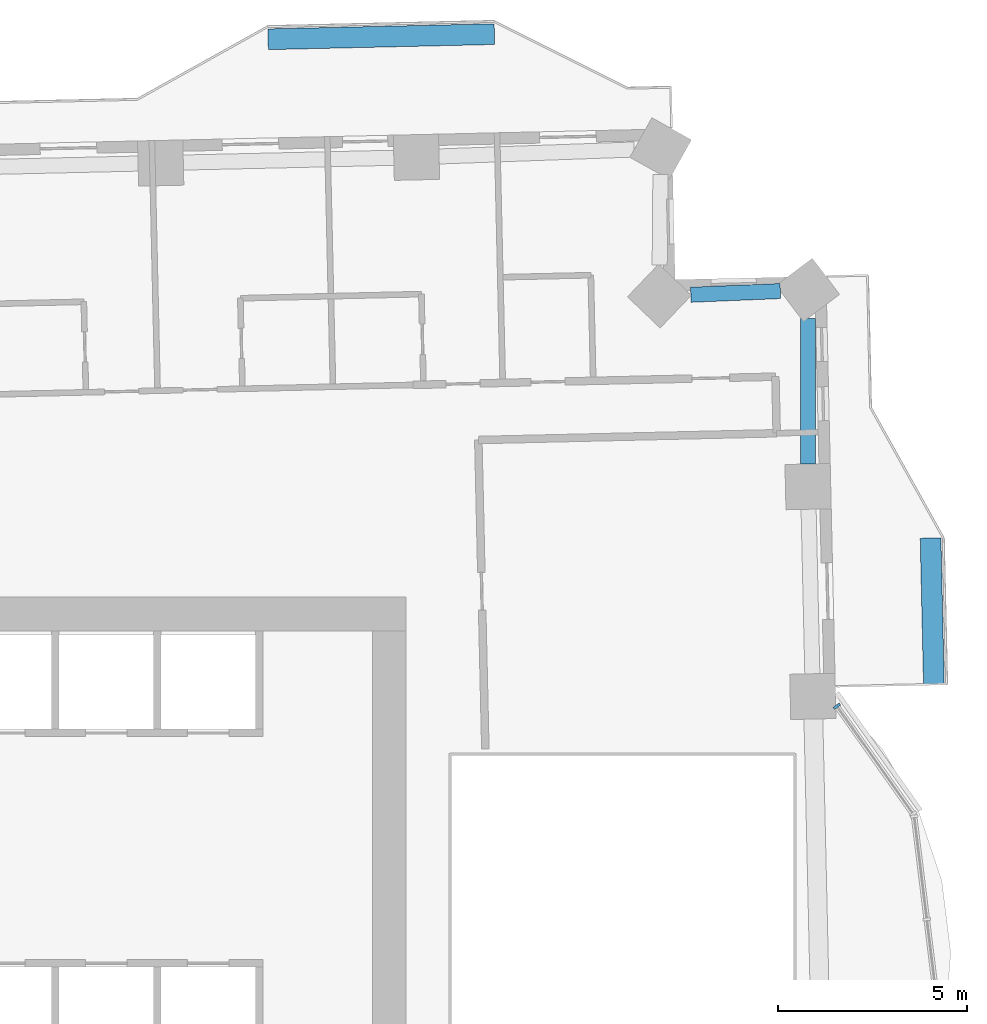
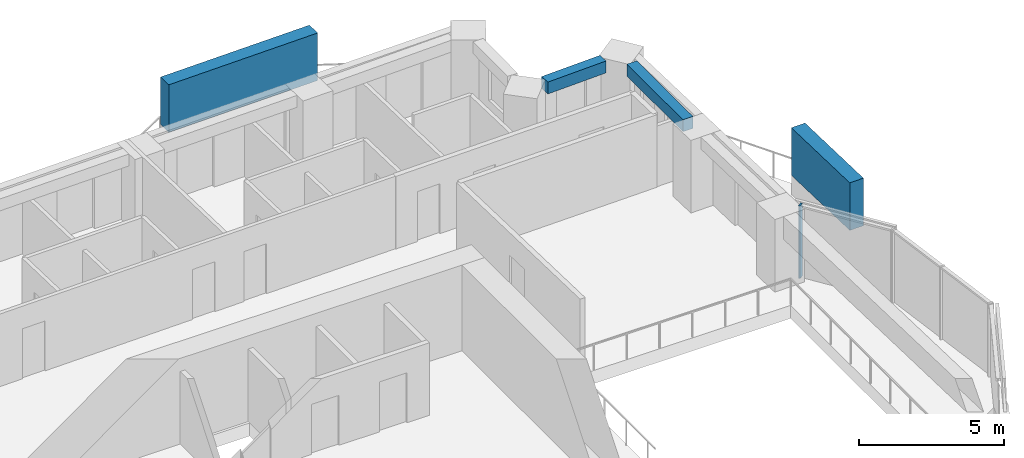
# One storey, part 4 of 16: 3 members, 2 beams, 1 element without a shape of its own.
"""IFC4 building model written with IfcOpenShell, lengths in metres."""

from ifc_helpers import new_model, si_unit, direction, frame, origin, origin_2d, place, context, subcontext, project, spatial, rectangle, extrude, material, material_profile, profile_set, type_object, element, aggregate, save


model = new_model("IFC4")

# Units and contexts
model_context = context("Model", 3, precision=1e-05, world=origin(), true_north=direction((0.0, 1.0)))
body_context = subcontext(model_context, "Body", "Model", "MODEL_VIEW")
ifc_project = project(units=[si_unit("LENGTHUNIT", "METRE"), si_unit("AREAUNIT", "SQUARE_METRE"), si_unit("VOLUMEUNIT", "CUBIC_METRE"), si_unit("PLANEANGLEUNIT", "RADIAN"), si_unit("MASSUNIT", "GRAM", prefix="KILO")], contexts=[model_context])

# Site, building, storey
site_placement = place(None, origin())
site = spatial("IfcSite", under=ifc_project, at=site_placement, CompositionType="ELEMENT")
building_placement = place(site_placement, origin())
building = spatial("IfcBuilding", under=site, at=building_placement, Name="Mangrove Gate Tower", CompositionType="ELEMENT")
storey_placement = place(building_placement, frame((0.0, 0.0, 175.300048828125)))
storey = spatial("IfcBuildingStorey", under=building, at=storey_placement, Name="L44", CompositionType="ELEMENT", Elevation=175.300048828125)

# Curtain wall, member
ifc_material_1 = material(Name="Aluminium and glass curtain wall", Category="aluminium")
curtain_wall_type = type_object("IfcCurtainWallType", Name="Atrium garden-court glazing wall", PredefinedType="NOTDEFINED", material=ifc_material_1)
curtain_wall_placement = place(storey_placement, origin())
curtain_wall = element("IfcCurtainWall", 1, at=curtain_wall_placement, inside=storey, type_object=curtain_wall_type, Name="Atrium garden-court glazing E1f3", PredefinedType="NOTDEFINED")
ifc_material_2 = material(Name="Aluminium alloy 6063-T6", Category="aluminium")
ifc_material_profile_1 = material_profile(ifc_material_2, rectangle(XDim=0.070068359375, YDim=0.199951171875, at=origin_2d()))
ifc_profile_set_1 = profile_set([ifc_material_profile_1], Name="Aluminium alloy 6063-T6")
member_type_1 = type_object("IfcMemberType", Name="Atrium garden-court glazing mullion 70x200", PredefinedType="MULLION", material=ifc_profile_set_1)
member_1_placement = place(storey_placement, frame((26.11376953125, 8.808837890625, 0.0), z_axis=(0.0, 0.0, 1.0), x_axis=(-0.578106334278, 0.815961436753, 0.0)))
member_1 = element("IfcMember", 2, at=member_1_placement, type_object=member_type_1, Name="CWA mullion 2", PredefinedType="MULLION", context=body_context, shape_type="SweptSolid", body=[
    extrude(rectangle(XDim=0.070068359375, YDim=0.199951171875, at=origin_2d()), origin(), (0.0, 0.0, 1.0), 3.050048828125),
])
aggregate(curtain_wall, [member_1])

# Members
ifc_material_3 = material(Name="Planting on aluminium trellis", Category="aluminium")
ifc_material_profile_2 = material_profile(ifc_material_3, rectangle(XDim=0.550048828125, YDim=2.0, at=origin_2d()))
ifc_profile_set_2 = profile_set([ifc_material_profile_2], Name="Planting on aluminium trellis")
member_type_2 = type_object("IfcMemberType", Name="Balcony greenery screen 550x2000", PredefinedType="USERDEFINED", material=ifc_profile_set_2)
member_2_placement = place(storey_placement, frame((28.68603515625, 9.39208984375, 1.800048828125), z_axis=(-0.022744303924, 0.999741314861, 0.0), x_axis=(-0.999741314861, -0.022744303924, 0.0)))
element("IfcMember", 3, at=member_2_placement, inside=storey, type_object=member_type_2, Name="GREEN SCREEN L44 E1.1", ObjectType="PLANTING", PredefinedType="USERDEFINED", context=body_context, shape_type="SweptSolid", body=[
    extrude(rectangle(XDim=0.550048828125, YDim=2.0, at=origin_2d()), origin(), (0.0, 0.0, 1.0), 3.875),
])
member_3_placement = place(storey_placement, frame((11.0390625, 26.486083984375, 1.800048828125), z_axis=(0.999743094499, 0.022665943652, 0.0), x_axis=(-0.022665943652, 0.999743094499, 0.0)))
element("IfcMember", 4, at=member_3_placement, inside=storey, type_object=member_type_2, Name="GREEN SCREEN L44 N0.1", ObjectType="PLANTING", PredefinedType="USERDEFINED", context=body_context, shape_type="SweptSolid", body=[
    extrude(rectangle(XDim=0.550048828125, YDim=2.0, at=origin_2d()), origin(), (0.0, 0.0, 1.0), 5.99951171875),
])

# Beams
ifc_material_4 = material(Name="Concrete C50/60", Category="concrete")
ifc_material_profile_3 = material_profile(ifc_material_4, rectangle(XDim=0.39990234375, YDim=0.5, at=origin_2d()))
ifc_profile_set_3 = profile_set([ifc_material_profile_3], Name="Concrete C50/60")
beam_type = type_object("IfcBeamType", Name="Edge beam RC 400x500 C50/60", PredefinedType="BEAM", material=ifc_profile_set_3)
beam_1_placement = place(storey_placement, frame((25.3505859375, 15.2294921875, 2.800048828125), z_axis=(-0.001011377485, 0.999999488558, 0.0), x_axis=(-0.999999488558, -0.001011377485, 0.0)))
element("IfcBeam", 5, at=beam_1_placement, inside=storey, type_object=beam_type, Name="Edge beam L44 16", PredefinedType="BEAM", context=body_context, shape_type="SweptSolid", body=[
    extrude(rectangle(XDim=0.39990234375, YDim=0.5, at=origin_2d()), origin(), (0.0, 0.0, 1.0), 3.8623046875),
])
beam_2_placement = place(storey_placement, frame((24.6171875, 19.812744140625, 2.800048828125), z_axis=(-0.999146203439, -0.041314212485, 0.0), x_axis=(0.041314212485, -0.999146203439, 0.0)))
element("IfcBeam", 6, at=beam_2_placement, inside=storey, type_object=beam_type, Name="Edge beam L44 17", PredefinedType="BEAM", context=body_context, shape_type="SweptSolid", body=[
    extrude(rectangle(XDim=0.39990234375, YDim=0.5, at=origin_2d()), origin(), (0.0, 0.0, 1.0), 2.37548828125),
])

save(model, "model.ifc")
